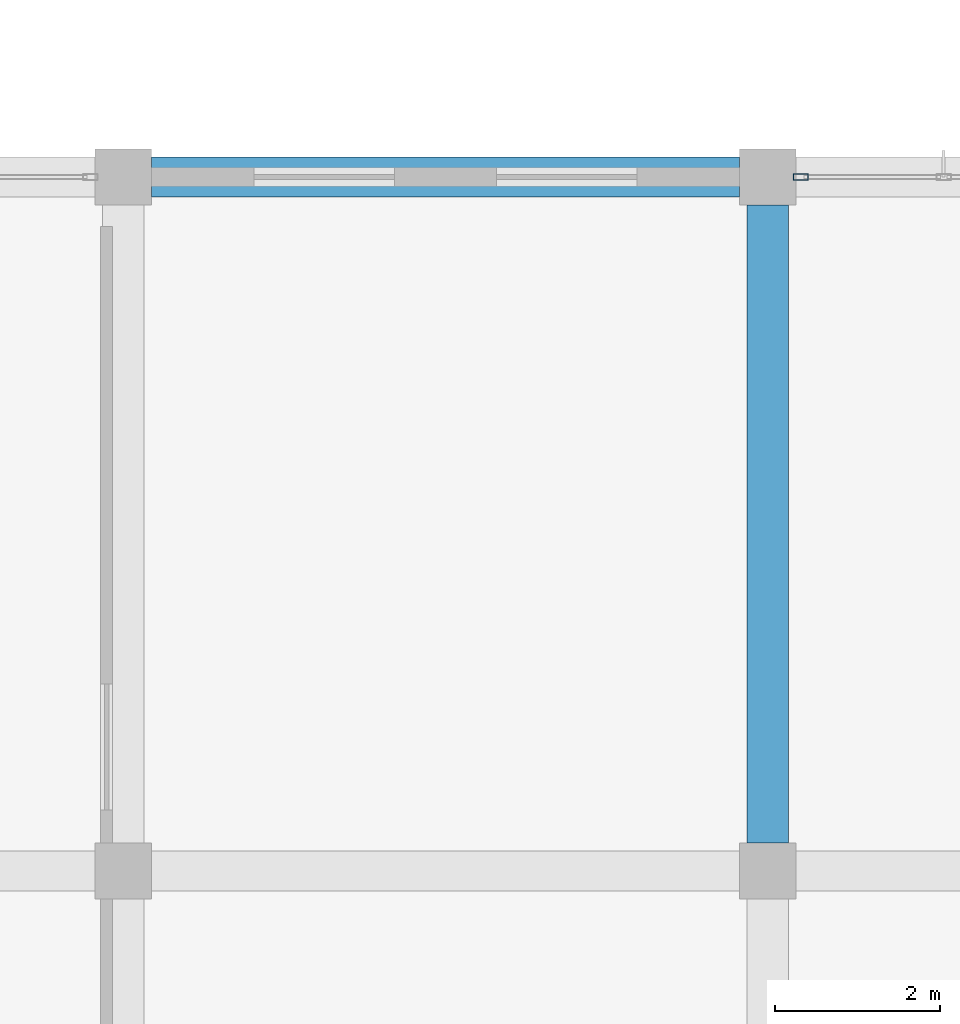
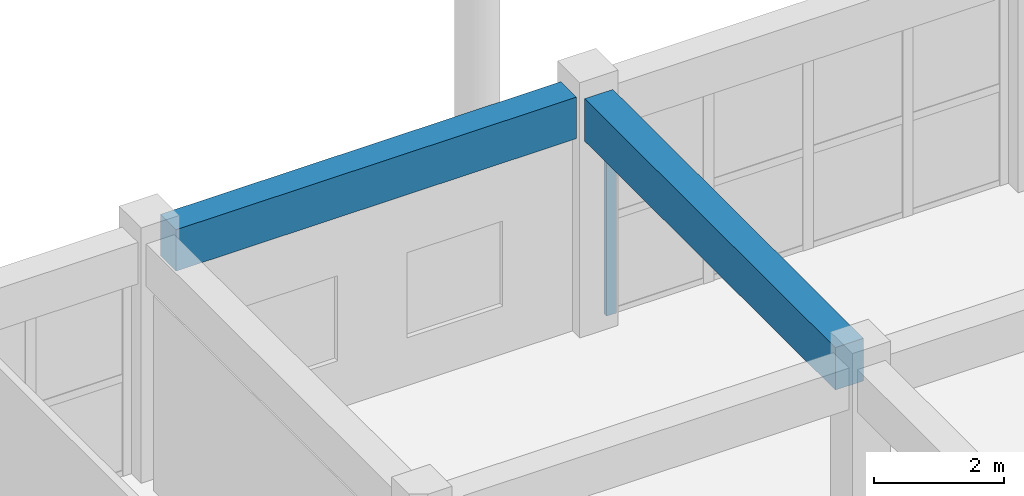
# One storey, part 110 of 175: 2 beams, 1 member, 1 element without a shape of its own.
"""IFC4 building model written with IfcOpenShell, lengths in metres."""

from ifc_helpers import new_model, si_unit, direction, frame, origin, origin_2d, place, context, subcontext, project, spatial, rectangle, hollow_rectangle, extrude, material, layer, layer_set, material_profile, profile_set, type_object, element, aggregate, save


model = new_model("IFC4")

# Units and contexts
model_context = context("Model", 3, precision=1e-05, world=origin(), true_north=direction((0.0, 1.0)))
body_context = subcontext(model_context, "Body", "Model", "MODEL_VIEW")
ifc_project = project(units=[si_unit("LENGTHUNIT", "METRE"), si_unit("AREAUNIT", "SQUARE_METRE"), si_unit("VOLUMEUNIT", "CUBIC_METRE"), si_unit("PLANEANGLEUNIT", "RADIAN"), si_unit("MASSUNIT", "GRAM", prefix="KILO")], contexts=[model_context])

# Site, building, storey
site_placement = place(None, origin())
site = spatial("IfcSite", under=ifc_project, at=site_placement, CompositionType="ELEMENT")
building_placement = place(site_placement, origin())
building = spatial("IfcBuilding", under=site, at=building_placement, Name="Zizhar Promenade General Hospital", CompositionType="ELEMENT")
storey_placement = place(building_placement, frame((0.0, 0.0, 4.800048828125)))
storey = spatial("IfcBuildingStorey", under=building, at=storey_placement, Name="L01", CompositionType="ELEMENT", Elevation=4.800048828125)

# Beams
ifc_material_1 = material(Name="Concrete C35/45", Category="concrete")
ifc_material_profile_1 = material_profile(ifc_material_1, rectangle(XDim=0.47998046875, YDim=0.780029296875, at=origin_2d()))
ifc_profile_set_1 = profile_set([ifc_material_profile_1], Name="Concrete C35/45")
beam_type_1 = type_object("IfcBeamType", Name="BM-RC-480x780", PredefinedType="BEAM", material=ifc_profile_set_1)
beam_1_placement = place(storey_placement, frame((148.5400390625, 109.199951171875, 4.079833984375), z_axis=(1.0, 0.0, 0.0), x_axis=(0.0, 1.0, 0.0)))
element("IfcBeam", 1, at=beam_1_placement, inside=storey, type_object=beam_type_1, Name="Grid Beam X L01 (19-13)", PredefinedType="BEAM", context=body_context, shape_type="SweptSolid", body=[
    extrude(rectangle(XDim=0.47998046875, YDim=0.780029296875, at=origin_2d()), origin(), (0.0, 0.0, 1.0), 7.119873046875),
])
ifc_material_2 = material(Name="Concrete C35/45", Category="concrete")
ifc_material_profile_2 = material_profile(ifc_material_2, rectangle(XDim=0.5, YDim=0.800048828125, at=origin_2d()))
ifc_profile_set_2 = profile_set([ifc_material_profile_2], Name="Concrete C35/45")
beam_type_2 = type_object("IfcBeamType", Name="BM-RC-500x800", PredefinedType="BEAM", material=ifc_profile_set_2)
beam_2_placement = place(storey_placement, frame((156.0, 101.139892578125, 4.070068359375), z_axis=(0.0, 1.0, 0.0), x_axis=(-1.0, 0.0, 0.0)))
element("IfcBeam", 2, at=beam_2_placement, inside=storey, type_object=beam_type_2, Name="Grid Beam Y L01 (20-12)", PredefinedType="BEAM", context=body_context, shape_type="SweptSolid", body=[
    extrude(rectangle(XDim=0.5, YDim=0.800048828125, at=origin_2d()), origin(), (0.0, 0.0, 1.0), 7.72021484375),
])

# Curtain wall, member
ifc_material_3 = material(Name="Anodised aluminium 6063-T6 and low-E glass", Category="aluminium")
ifc_layer = layer(ifc_material_3, 0.159912109375)
ifc_layer_set = layer_set([ifc_layer], Name="Anodised aluminium 6063-T6 and low-E glass")
curtain_wall_type = type_object("IfcCurtainWallType", Name="CW-CLN-EXT", PredefinedType="NOTDEFINED", material=ifc_layer_set)
curtain_wall_placement = place(storey_placement, origin())
curtain_wall = element("IfcCurtainWall", 3, at=curtain_wall_placement, inside=storey, type_object=curtain_wall_type, Name="Outpatient North Curtain Wall L01-20", PredefinedType="NOTDEFINED")
ifc_material_4 = material(Name="Anodised aluminium 6063-T6", Category="aluminium")
ifc_material_profile_3 = material_profile(ifc_material_4, hollow_rectangle(XDim=0.080078125, YDim=0.179931640625, WallThickness=0.0048828125, at=origin_2d()))
ifc_profile_set_3 = profile_set([ifc_material_profile_3], Name="Anodised aluminium 6063-T6")
member_type = type_object("IfcMemberType", Name="CWM-ALU-180x80", PredefinedType="MULLION", material=ifc_profile_set_3)
member_placement = place(storey_placement, frame((156.39990234375, 109.199951171875, 0.0), z_axis=(0.0, 0.0, 1.0), x_axis=(0.0, 1.0, 0.0)))
member = element("IfcMember", 4, at=member_placement, type_object=member_type, Name="CW-09 mullion 1", PredefinedType="MULLION", context=body_context, shape_type="SweptSolid", body=[
    extrude(hollow_rectangle(XDim=0.080078125, YDim=0.179931640625, WallThickness=0.0048828125, at=origin_2d()), origin(), (0.0, 0.0, 1.0), 3.679931640625),
])
aggregate(curtain_wall, [member])

save(model, "model.ifc")
